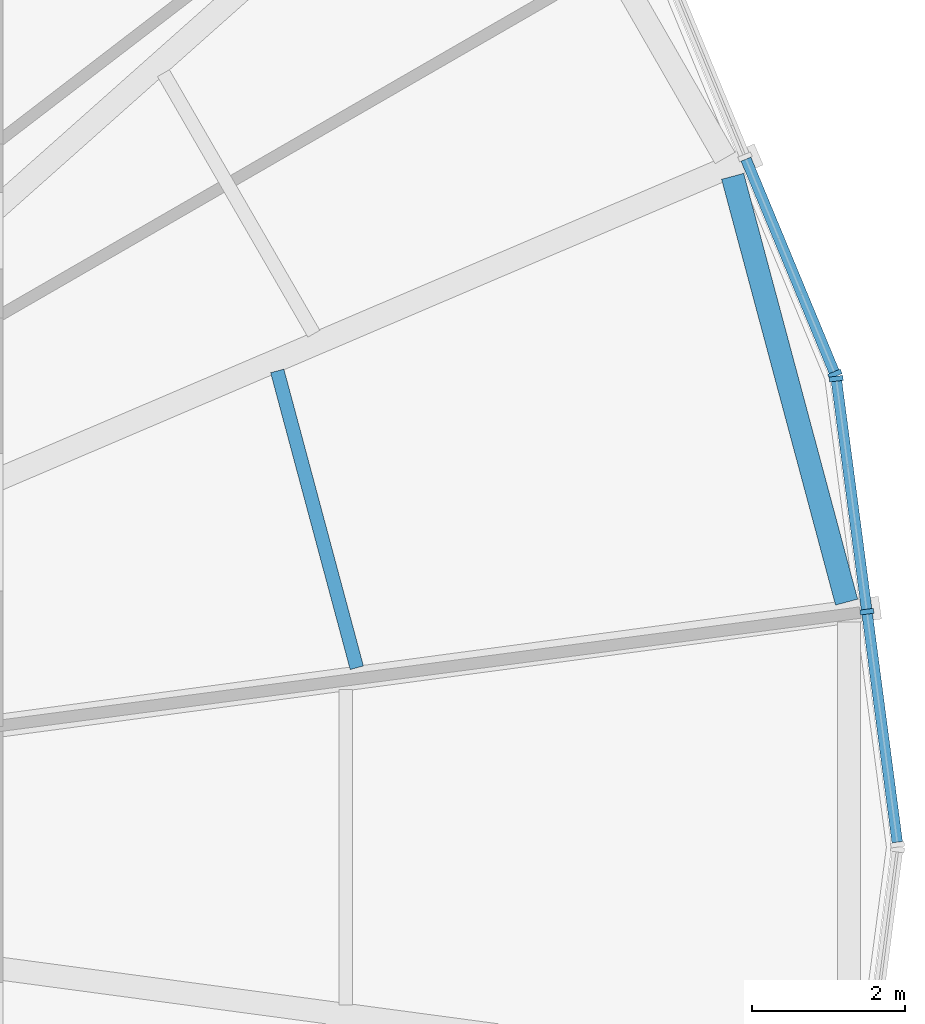
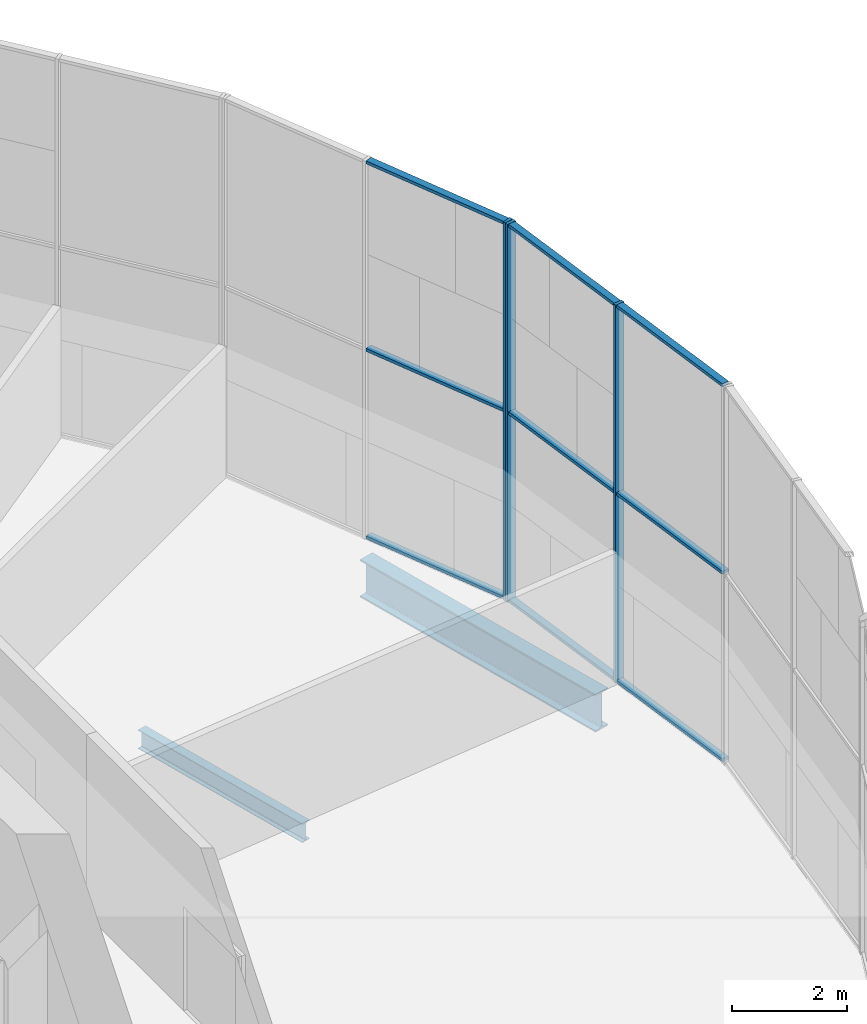
# One storey, part 5 of 18: 12 members, 2 beams, 2 elements without a shape of their own.
"""IFC4 building model written with IfcOpenShell, lengths in metres."""

from ifc_helpers import new_model, si_unit, direction, frame, origin, origin_2d, place, context, subcontext, project, spatial, rectangle, i_section, extrude, material, material_profile, profile_set, type_object, element, aggregate, save


model = new_model("IFC4")

# Units and contexts
model_context = context("Model", 3, precision=1e-05, world=origin(), true_north=direction((0.0, 1.0)))
body_context = subcontext(model_context, "Body", "Model", "MODEL_VIEW")
ifc_project = project(units=[si_unit("LENGTHUNIT", "METRE"), si_unit("AREAUNIT", "SQUARE_METRE"), si_unit("VOLUMEUNIT", "CUBIC_METRE"), si_unit("PLANEANGLEUNIT", "RADIAN"), si_unit("MASSUNIT", "GRAM", prefix="KILO")], contexts=[model_context])

# Site, building, storey
site_placement = place(None, origin())
site = spatial("IfcSite", under=ifc_project, at=site_placement, CompositionType="ELEMENT")
building_placement = place(site_placement, origin())
building = spatial("IfcBuilding", under=site, at=building_placement, Name="Golbaran Civic Tower", CompositionType="ELEMENT")
storey_placement = place(building_placement, frame((0.0, 0.0, 61.0)))
storey = spatial("IfcBuildingStorey", under=building, at=storey_placement, Name="L14", CompositionType="ELEMENT", Elevation=61.0)

# Beams
ifc_material_1 = material(Name="Steel S355", Category="steel")
ifc_material_profile_1 = material_profile(ifc_material_1, i_section(OverallWidth=0.300048828125, OverallDepth=0.800048828125, WebThickness=0.017578125, FlangeThickness=0.032958984375, FilletRadius=0.030029296875, at=origin_2d()), Name="HEB 800")
ifc_profile_set_1 = profile_set([ifc_material_profile_1], Name="Steel S355")
beam_type_1 = type_object("IfcBeamType", Name="EDGE BEAM HEB 800", PredefinedType="BEAM", material=ifc_profile_set_1)
beam_1_placement = place(storey_placement, frame((23.1455078125, 3.20703125, -0.60009765625), z_axis=(-0.258518279103, 0.966006366112, 0.0), x_axis=(-0.966006366112, -0.258518279103, 0.0)))
element("IfcBeam", 1, at=beam_1_placement, inside=storey, type_object=beam_type_1, Name="Edge beam 7.57 L14", PredefinedType="BEAM", context=body_context, shape_type="SweptSolid", body=[
    extrude(i_section(OverallWidth=0.300048828125, OverallDepth=0.800048828125, WebThickness=0.017578125, FlangeThickness=0.032958984375, FilletRadius=0.030029296875, at=origin_2d()), origin(), (0.0, 0.0, 1.0), 5.771240234375),
])
ifc_material_profile_2 = material_profile(ifc_material_1, i_section(OverallWidth=0.179931640625, OverallDepth=0.39990234375, WebThickness=0.008544921875, FlangeThickness=0.013427734375, FilletRadius=0.02099609375, at=origin_2d()), Name="IPE 400")
ifc_profile_set_2 = profile_set([ifc_material_profile_2], Name="Steel S355")
beam_type_2 = type_object("IfcBeamType", Name="FLOOR INFILL BEAM IPE 400", PredefinedType="BEAM", material=ifc_profile_set_2)
beam_2_placement = place(storey_placement, frame((16.73291015625, 2.34765625, -0.39990234375), z_axis=(-0.258863474337, 0.965913920416, 0.0), x_axis=(-0.965913920416, -0.258863474337, 0.0)))
element("IfcBeam", 2, at=beam_2_placement, inside=storey, type_object=beam_type_2, Name="Infill beam 15.00 L14", PredefinedType="BEAM", context=body_context, shape_type="SweptSolid", body=[
    extrude(i_section(OverallWidth=0.179931640625, OverallDepth=0.39990234375, WebThickness=0.008544921875, FlangeThickness=0.013427734375, FilletRadius=0.02099609375, at=origin_2d()), origin(), (0.0, 0.0, 1.0), 4.0234375),
])

# Curtain wall, members
ifc_material_2 = material(Name="Aluminium and glass", Category="aluminium")
curtain_wall_type = type_object("IfcCurtainWallType", Name="INNER SKIN CURTAIN WALL", PredefinedType="NOTDEFINED", material=ifc_material_2)
curtain_wall_1_placement = place(storey_placement, origin())
curtain_wall_1 = element("IfcCurtainWall", 3, at=curtain_wall_1_placement, inside=storey, type_object=curtain_wall_type, Name="Inner skin L14 facet 1 CW1", ObjectType="INNER SKIN", PredefinedType="USERDEFINED")
ifc_material_3 = material(Name="Aluminium", Category="aluminium")
ifc_material_profile_3 = material_profile(ifc_material_3, rectangle(XDim=0.179931640625, YDim=0.06494140625, at=origin_2d()), Name="INNER SKIN CURTAIN WALL MULLION")
ifc_profile_set_3 = profile_set([ifc_material_profile_3], Name="Aluminium")
member_type_1 = type_object("IfcMemberType", Name="INNER SKIN CURTAIN WALL MULLION", PredefinedType="MULLION", material=ifc_profile_set_3)
member_1_placement = place(storey_placement, frame((23.4111328125, 3.08203125, 0.0), z_axis=(0.0, 0.0, 1.0), x_axis=(-0.991444861378, -0.130526192185, 0.0)))
member_1 = element("IfcMember", 4, at=member_1_placement, type_object=member_type_1, Name="CW1 mullion 2", PredefinedType="MULLION", context=body_context, shape_type="SweptSolid", body=[
    extrude(rectangle(XDim=0.179931640625, YDim=0.06494140625, at=origin_2d()), origin(), (0.0, 0.0, 1.0), 8.0),
])
member_2_placement = place(storey_placement, frame((23.009765625, 6.132080078125, 0.0), z_axis=(0.0, 0.0, 1.0), x_axis=(-0.991444861378, -0.130526192185, 0.0)))
member_2 = element("IfcMember", 5, at=member_2_placement, type_object=member_type_1, Name="CW1 mullion 3", PredefinedType="MULLION", context=body_context, shape_type="SweptSolid", body=[
    extrude(rectangle(XDim=0.179931640625, YDim=0.06494140625, at=origin_2d()), origin(), (0.0, 0.0, 1.0), 8.0),
])

# Curtain wall, member
curtain_wall_2_placement = place(storey_placement, origin())
curtain_wall_2 = element("IfcCurtainWall", 6, at=curtain_wall_2_placement, inside=storey, type_object=curtain_wall_type, Name="Inner skin L14 facet 2 CW1", ObjectType="INNER SKIN", PredefinedType="USERDEFINED")
member_3_placement = place(storey_placement, frame((22.992919921875, 6.1943359375, 0.0), z_axis=(0.0, 0.0, 1.0), x_axis=(-0.923879532505, -0.382683432381, 0.0)))
member_3 = element("IfcMember", 7, at=member_3_placement, type_object=member_type_1, Name="CW1 mullion 1", PredefinedType="MULLION", context=body_context, shape_type="SweptSolid", body=[
    extrude(rectangle(XDim=0.179931640625, YDim=0.06494140625, at=origin_2d()), origin(), (0.0, 0.0, 1.0), 8.0),
])

# Member
ifc_material_profile_4 = material_profile(ifc_material_3, rectangle(XDim=0.139892578125, YDim=0.06494140625, at=origin_2d()), Name="INNER SKIN CURTAIN WALL TRANSOM")
ifc_profile_set_4 = profile_set([ifc_material_profile_4], Name="Aluminium")
member_type_2 = type_object("IfcMemberType", Name="INNER SKIN CURTAIN WALL TRANSOM", PredefinedType="USERDEFINED", material=ifc_profile_set_4)
member_4_placement = place(storey_placement, frame((23.80859375, 0.064453125, 0.032470703125), z_axis=(-0.130538406746, 0.991443253224, 0.0), x_axis=(-0.991443253224, -0.130538406746, 0.0)))
member_4 = element("IfcMember", 8, at=member_4_placement, type_object=member_type_2, Name="CW1 transom 1.1", ObjectType="TRANSOM", PredefinedType="USERDEFINED", context=body_context, shape_type="SweptSolid", body=[
    extrude(rectangle(XDim=0.139892578125, YDim=0.06494140625, at=origin_2d()), origin(), (0.0, 0.0, 1.0), 3.01123046875),
])

member_5_placement = place(storey_placement, frame((23.80859375, 0.064453125, 4.0), z_axis=(-0.130538406746, 0.991443253224, 0.0), x_axis=(-0.991443253224, -0.130538406746, 0.0)))
member_5 = element("IfcMember", 9, at=member_5_placement, type_object=member_type_2, Name="CW1 transom 1.2", ObjectType="TRANSOM", PredefinedType="USERDEFINED", context=body_context, shape_type="SweptSolid", body=[
    extrude(rectangle(XDim=0.139892578125, YDim=0.06494140625, at=origin_2d()), origin(), (0.0, 0.0, 1.0), 3.01123046875),
])

member_6_placement = place(storey_placement, frame((23.80859375, 0.064453125, 7.967529296875), z_axis=(-0.130538406746, 0.991443253224, 0.0), x_axis=(-0.991443253224, -0.130538406746, 0.0)))
member_6 = element("IfcMember", 10, at=member_6_placement, type_object=member_type_2, Name="CW1 transom 1.3", ObjectType="TRANSOM", PredefinedType="USERDEFINED", context=body_context, shape_type="SweptSolid", body=[
    extrude(rectangle(XDim=0.139892578125, YDim=0.06494140625, at=origin_2d()), origin(), (0.0, 0.0, 1.0), 3.01123046875),
])

member_7_placement = place(storey_placement, frame((23.406982421875, 3.1142578125, 0.032470703125), z_axis=(-0.130527914125, 0.991444634679, 0.0), x_axis=(-0.991444634679, -0.130527914125, 0.0)))
member_7 = element("IfcMember", 11, at=member_7_placement, type_object=member_type_2, Name="CW1 transom 2.1", ObjectType="TRANSOM", PredefinedType="USERDEFINED", context=body_context, shape_type="SweptSolid", body=[
    extrude(rectangle(XDim=0.139892578125, YDim=0.06494140625, at=origin_2d()), origin(), (0.0, 0.0, 1.0), 3.011474609375),
])

member_8_placement = place(storey_placement, frame((23.406982421875, 3.1142578125, 4.0), z_axis=(-0.130527914125, 0.991444634679, 0.0), x_axis=(-0.991444634679, -0.130527914125, 0.0)))
member_8 = element("IfcMember", 12, at=member_8_placement, type_object=member_type_2, Name="CW1 transom 2.2", ObjectType="TRANSOM", PredefinedType="USERDEFINED", context=body_context, shape_type="SweptSolid", body=[
    extrude(rectangle(XDim=0.139892578125, YDim=0.06494140625, at=origin_2d()), origin(), (0.0, 0.0, 1.0), 3.011474609375),
])

member_9_placement = place(storey_placement, frame((23.406982421875, 3.1142578125, 7.967529296875), z_axis=(-0.130527914125, 0.991444634679, 0.0), x_axis=(-0.991444634679, -0.130527914125, 0.0)))
member_9 = element("IfcMember", 13, at=member_9_placement, type_object=member_type_2, Name="CW1 transom 2.3", ObjectType="TRANSOM", PredefinedType="USERDEFINED", context=body_context, shape_type="SweptSolid", body=[
    extrude(rectangle(XDim=0.139892578125, YDim=0.06494140625, at=origin_2d()), origin(), (0.0, 0.0, 1.0), 3.011474609375),
])

aggregate(curtain_wall_1, [member_1, member_2, member_4, member_5, member_6, member_7, member_8, member_9])

member_10_placement = place(storey_placement, frame((22.98046875, 6.224365234375, 0.032470703125), z_axis=(-0.382685955317, 0.923878487466, 0.0), x_axis=(-0.923878487466, -0.382685955317, 0.0)))
member_10 = element("IfcMember", 14, at=member_10_placement, type_object=member_type_2, Name="CW1 transom 1.1", ObjectType="TRANSOM", PredefinedType="USERDEFINED", context=body_context, shape_type="SweptSolid", body=[
    extrude(rectangle(XDim=0.139892578125, YDim=0.06494140625, at=origin_2d()), origin(), (0.0, 0.0, 1.0), 3.01123046875),
])

member_11_placement = place(storey_placement, frame((22.98046875, 6.224365234375, 4.0), z_axis=(-0.382685955317, 0.923878487466, 0.0), x_axis=(-0.923878487466, -0.382685955317, 0.0)))
member_11 = element("IfcMember", 15, at=member_11_placement, type_object=member_type_2, Name="CW1 transom 1.2", ObjectType="TRANSOM", PredefinedType="USERDEFINED", context=body_context, shape_type="SweptSolid", body=[
    extrude(rectangle(XDim=0.139892578125, YDim=0.06494140625, at=origin_2d()), origin(), (0.0, 0.0, 1.0), 3.01123046875),
])

member_12_placement = place(storey_placement, frame((22.98046875, 6.224365234375, 7.967529296875), z_axis=(-0.382685955317, 0.923878487466, 0.0), x_axis=(-0.923878487466, -0.382685955317, 0.0)))
member_12 = element("IfcMember", 16, at=member_12_placement, type_object=member_type_2, Name="CW1 transom 1.3", ObjectType="TRANSOM", PredefinedType="USERDEFINED", context=body_context, shape_type="SweptSolid", body=[
    extrude(rectangle(XDim=0.139892578125, YDim=0.06494140625, at=origin_2d()), origin(), (0.0, 0.0, 1.0), 3.01123046875),
])

aggregate(curtain_wall_2, [member_3, member_10, member_11, member_12])

save(model, "model.ifc")
